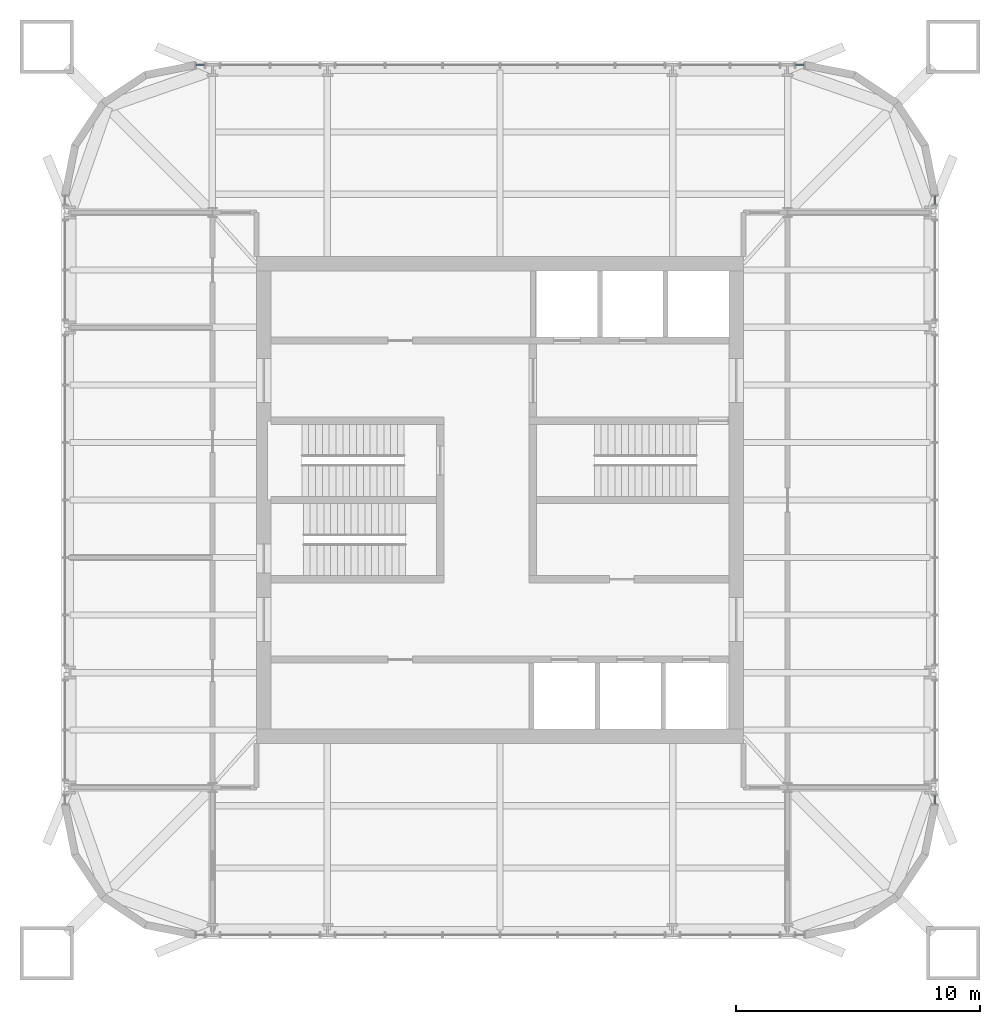
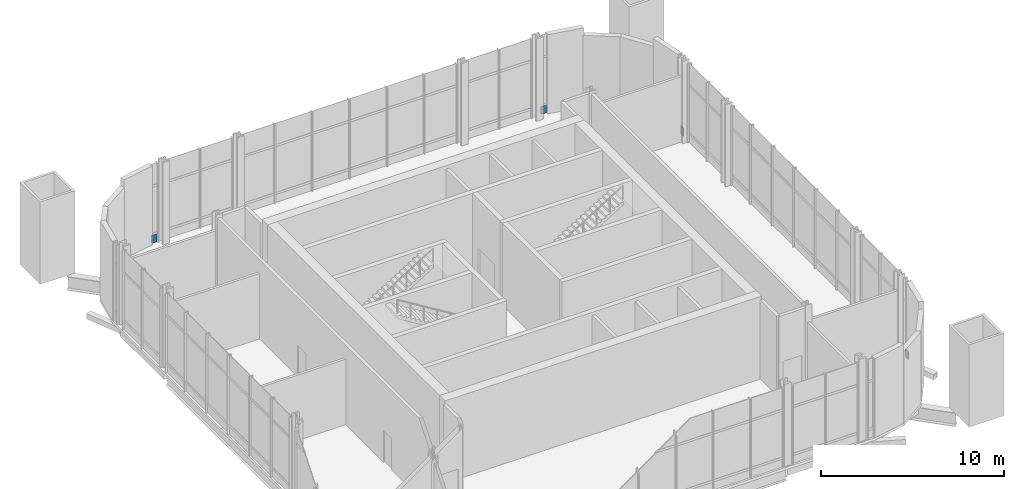
# One storey, part 14 of 17: 4 plates, 4 elements without a shape of their own.
"""IFC4 building model written with IfcOpenShell, lengths in metres."""

from ifc_helpers import new_model, si_unit, direction, frame, origin, origin_2d, place, context, subcontext, project, spatial, rectangle, extrude, material, layer, layer_set, type_object, element, aggregate, save


model = new_model("IFC4")

# Units and contexts
model_context = context("Model", 3, precision=1e-05, world=origin(), true_north=direction((0.0, 1.0)))
body_context = subcontext(model_context, "Body", "Model", "MODEL_VIEW")
ifc_project = project(units=[si_unit("LENGTHUNIT", "METRE"), si_unit("AREAUNIT", "SQUARE_METRE"), si_unit("VOLUMEUNIT", "CUBIC_METRE"), si_unit("PLANEANGLEUNIT", "RADIAN"), si_unit("MASSUNIT", "GRAM", prefix="KILO")], contexts=[model_context])

# Site, building, storey
site_placement = place(None, origin())
site = spatial("IfcSite", under=ifc_project, at=site_placement, CompositionType="ELEMENT")
building_placement = place(site_placement, origin())
building = spatial("IfcBuilding", under=site, at=building_placement, Name="Turquesa Mirador Hotel Tower", CompositionType="ELEMENT")
storey_placement = place(building_placement, frame((0.0, 0.0, 266.699951171875)))
storey = spatial("IfcBuildingStorey", under=building, at=storey_placement, Name="L72", CompositionType="ELEMENT", Elevation=266.699951171875)

# Curtain wall, plate
ifc_material_1 = material(Name="Aluminium extrusion", Category="aluminium")
curtain_wall_type = type_object("IfcCurtainWallType", Name="CW-6 OBSERVATION CURTAIN WALL", PredefinedType="USERDEFINED", material=ifc_material_1)
curtain_wall_1_placement = place(storey_placement, origin())
curtain_wall_1 = element("IfcCurtainWall", 1, at=curtain_wall_1_placement, inside=storey, type_object=curtain_wall_type, Name="CW-6 OBSERVATION CURTAIN WALL L72", ObjectType="CURTAIN WALL", PredefinedType="USERDEFINED")
ifc_material_2 = material(Name="Ceramic-printed spandrel glass on an insulated back pan", Category="glass")
ifc_layer = layer(ifc_material_2, 0.050048828125)
ifc_layer_set = layer_set([ifc_layer], Name="CW PANEL SPANDREL CERAMIC")
plate_type = type_object("IfcPlateType", Name="CW PANEL SPANDREL CERAMIC", PredefinedType="CURTAIN_PANEL", material=ifc_layer_set)
plate_1_placement = place(storey_placement, frame((72.85009765625, 32.699951171875, 0.0), z_axis=(0.0, 0.0, 1.0), x_axis=(0.0, 1.0, 0.0)))
plate_1 = element("IfcPlate", 2, at=plate_1_placement, type_object=plate_type, Name="Panel", PredefinedType="CURTAIN_PANEL", context=body_context, shape_type="SweptSolid", body=[
    extrude(rectangle(XDim=0.3349609375, YDim=0.050048828125, at=origin_2d()), origin(), (0.0, 0.0, 1.0), 0.52490234375),
])
aggregate(curtain_wall_1, [plate_1])

curtain_wall_2_placement = place(storey_placement, origin())
curtain_wall_2 = element("IfcCurtainWall", 3, at=curtain_wall_2_placement, inside=storey, type_object=curtain_wall_type, Name="CW-6 OBSERVATION CURTAIN WALL L72", ObjectType="CURTAIN WALL", PredefinedType="USERDEFINED")
plate_2_placement = place(storey_placement, frame((72.85009765625, 57.300048828125, 0.0), z_axis=(0.0, 0.0, 1.0), x_axis=(0.0, 1.0, 0.0)))
plate_2 = element("IfcPlate", 4, at=plate_2_placement, type_object=plate_type, Name="Panel", PredefinedType="CURTAIN_PANEL", context=body_context, shape_type="SweptSolid", body=[
    extrude(rectangle(XDim=0.3349609375, YDim=0.050048828125, at=origin_2d()), origin(), (0.0, 0.0, 1.0), 0.52490234375),
])
aggregate(curtain_wall_2, [plate_2])

curtain_wall_3_placement = place(storey_placement, origin())
curtain_wall_3 = element("IfcCurtainWall", 5, at=curtain_wall_3_placement, inside=storey, type_object=curtain_wall_type, Name="CW-6 OBSERVATION CURTAIN WALL L72", ObjectType="CURTAIN WALL", PredefinedType="USERDEFINED")
plate_3_placement = place(storey_placement, frame((67.300048828125, 62.85009765625, 0.0), z_axis=(0.0, 0.0, 1.0), x_axis=(-1.0, 0.0, 0.0)))
plate_3 = element("IfcPlate", 6, at=plate_3_placement, type_object=plate_type, Name="Panel", PredefinedType="CURTAIN_PANEL", context=body_context, shape_type="SweptSolid", body=[
    extrude(rectangle(XDim=0.3349609375, YDim=0.050048828125, at=origin_2d()), origin(), (0.0, 0.0, 1.0), 0.52490234375),
])
aggregate(curtain_wall_3, [plate_3])

curtain_wall_4_placement = place(storey_placement, origin())
curtain_wall_4 = element("IfcCurtainWall", 7, at=curtain_wall_4_placement, inside=storey, type_object=curtain_wall_type, Name="CW-6 OBSERVATION CURTAIN WALL L72", ObjectType="CURTAIN WALL", PredefinedType="USERDEFINED")
plate_4_placement = place(storey_placement, frame((42.699951171875, 62.85009765625, 0.0), z_axis=(0.0, 0.0, 1.0), x_axis=(-1.0, 0.0, 0.0)))
plate_4 = element("IfcPlate", 8, at=plate_4_placement, type_object=plate_type, Name="Panel", PredefinedType="CURTAIN_PANEL", context=body_context, shape_type="SweptSolid", body=[
    extrude(rectangle(XDim=0.3349609375, YDim=0.050048828125, at=origin_2d()), origin(), (0.0, 0.0, 1.0), 0.52490234375),
])
aggregate(curtain_wall_4, [plate_4])

save(model, "model.ifc")
